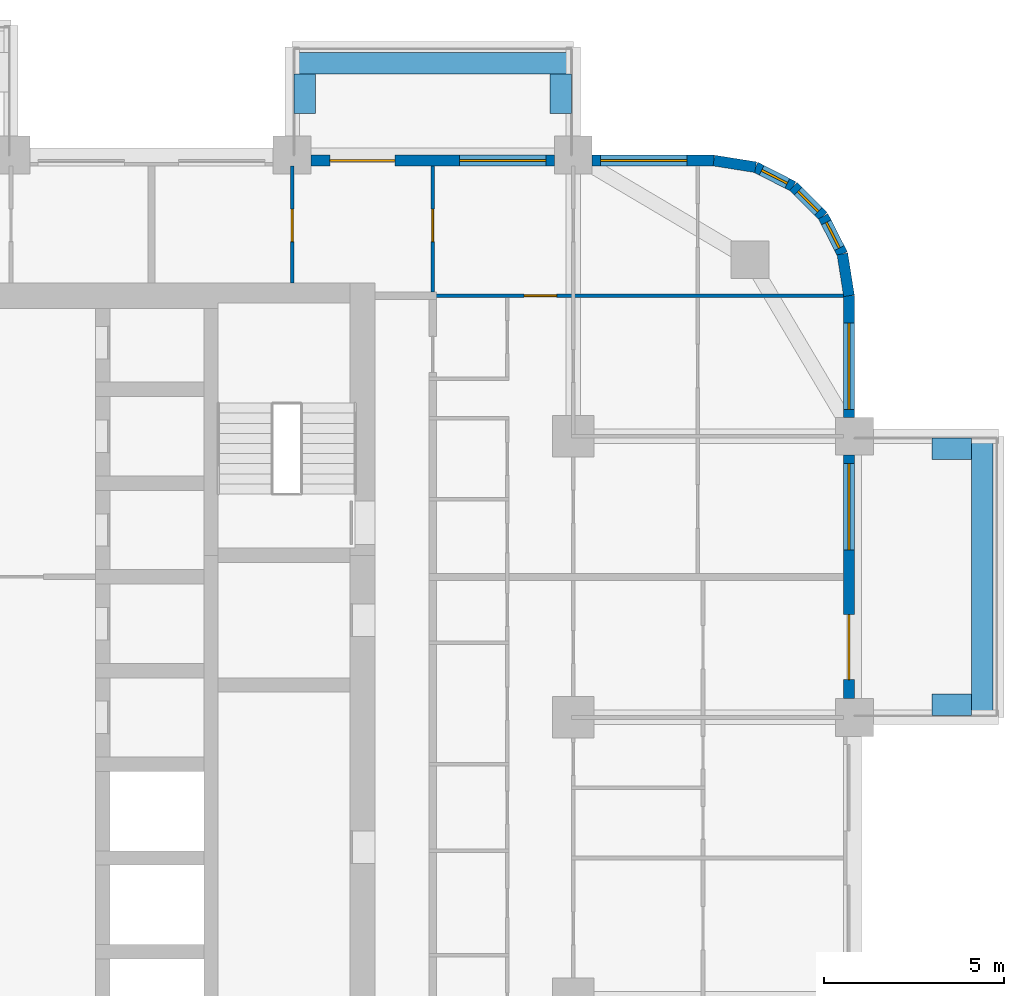
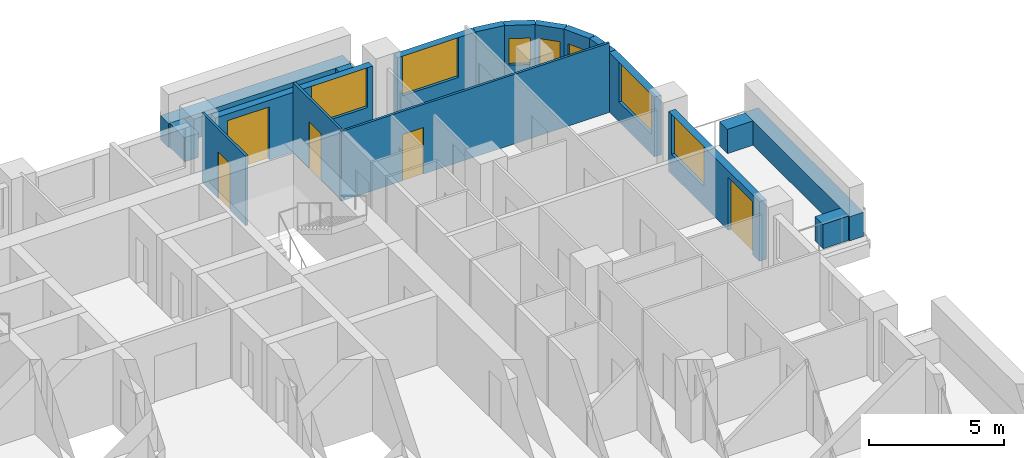
# One storey, part 13 of 17: 18 walls, 7 windows, 5 doors, 12 openings.
"""IFC4 building model written with IfcOpenShell, lengths in metres."""

from ifc_helpers import new_model, si_unit, direction, frame, frame_2d, origin, place, context, subcontext, project, spatial, rectangle, extrude, material, layer, layer_set, type_object, element, fill, save


model = new_model("IFC4")

# Units and contexts
model_context = context("Model", 3, precision=1e-05, world=origin(), true_north=direction((0.0, 1.0)))
body_context = subcontext(model_context, "Body", "Model", "MODEL_VIEW")
ifc_project = project(units=[si_unit("LENGTHUNIT", "METRE"), si_unit("AREAUNIT", "SQUARE_METRE"), si_unit("VOLUMEUNIT", "CUBIC_METRE"), si_unit("PLANEANGLEUNIT", "RADIAN"), si_unit("MASSUNIT", "GRAM", prefix="KILO")], contexts=[model_context])

# Site, building, storey
site_placement = place(None, origin())
site = spatial("IfcSite", under=ifc_project, at=site_placement, CompositionType="ELEMENT")
building_placement = place(site_placement, origin())
building = spatial("IfcBuilding", under=site, at=building_placement, Name="Ludao Terraces", CompositionType="ELEMENT")
storey_placement = place(building_placement, frame((0.0, 0.0, 22.89990234375)))
storey = spatial("IfcBuildingStorey", under=building, at=storey_placement, Name="L05", CompositionType="ELEMENT", Elevation=22.89990234375)

# Walls
ifc_material_1 = material(Name="Concrete C40", Category="concrete")
ifc_layer_1 = layer(ifc_material_1, 0.60009765625)
ifc_layer_set_1 = layer_set([ifc_layer_1], Name="ENV Planter trough 600")
wall_type_1 = type_object("IfcWallType", Name="ENV Planter trough 600", PredefinedType="USERDEFINED", material=ifc_layer_set_1)
wall_1_placement = place(storey_placement, frame((111.949951171875, 72.800048828125, 0.0), z_axis=(0.0, 0.0, 1.0), x_axis=(0.0, 1.0, 0.0)))
element("IfcWall", 1, at=wall_1_placement, inside=storey, type_object=wall_type_1, Name="PL-L05-E4", ObjectType="PLANTER", PredefinedType="USERDEFINED", context=body_context, shape_type="SweptSolid", body=[
    extrude(rectangle(XDim=7.800048828125, YDim=0.60009765625, at=frame_2d((3.89990234375, 0.0))), origin(), (0.0, 0.0, 1.0), 1.10009765625),
])
for number, where, z_axis, x_axis, name in (
    (2, (111.64990234375, 73.14990234375, 0.0), (0.0, 0.0, 1.0), (-1.0, 0.0, 0.0), "PL-L05-E4-SA"),
    (3, (111.64990234375, 80.25, 0.0), (0.0, 0.0, 1.0), (-1.0, 0.0, 0.0), "PL-L05-E4-SB"),
):
    element("IfcWall", number, at=place(storey_placement, frame(where, z_axis=z_axis, x_axis=x_axis)), inside=storey, type_object=wall_type_1, Name=name, ObjectType="PLANTER", PredefinedType="USERDEFINED", context=body_context, shape_type="SweptSolid", body=[
        extrude(rectangle(XDim=1.099853515625, YDim=0.60009765625, at=frame_2d((0.5498046875, 0.0))), origin(), (0.0, 0.0, 1.0), 1.10009765625),
    ])
wall_2_placement = place(storey_placement, frame((92.800048828125, 90.949951171875, 0.0), z_axis=(0.0, 0.0, 1.0), x_axis=(1.0, 0.0, 0.0)))
element("IfcWall", 4, at=wall_2_placement, inside=storey, type_object=wall_type_1, Name="PL-L05-N4", ObjectType="PLANTER", PredefinedType="USERDEFINED", context=body_context, shape_type="SweptSolid", body=[
    extrude(rectangle(XDim=7.800048828125, YDim=0.60009765625, at=frame_2d((3.89990234375, 0.0))), origin(), (0.0, 0.0, 1.0), 1.10009765625),
])
for number, where, z_axis, x_axis, name in (
    (5, (93.14990234375, 90.64990234375, 0.0), (0.0, 0.0, 1.0), (0.0, -1.0, 0.0), "PL-L05-N4-SA"),
    (6, (100.25, 90.64990234375, 0.0), (0.0, 0.0, 1.0), (0.0, -1.0, 0.0), "PL-L05-N4-SB"),
):
    element("IfcWall", number, at=place(storey_placement, frame(where, z_axis=z_axis, x_axis=x_axis)), inside=storey, type_object=wall_type_1, Name=name, ObjectType="PLANTER", PredefinedType="USERDEFINED", context=body_context, shape_type="SweptSolid", body=[
        extrude(rectangle(XDim=1.099853515625, YDim=0.60009765625, at=frame_2d((0.5498046875, 0.0))), origin(), (0.0, 0.0, 1.0), 1.10009765625),
    ])

# Wall, openings, door, window
ifc_material_2 = material(Name="Granite cladding", Category="masonry")
ifc_layer_2 = layer(ifc_material_2, 0.0400390625, Category="stone")
ifc_material_3 = material(Name="Mineral wool")
ifc_layer_3 = layer(ifc_material_3, 0.06005859375)
ifc_layer_4 = layer(ifc_material_1, 0.199951171875, Category="concrete")
ifc_layer_set_2 = layer_set([ifc_layer_2, ifc_layer_3, ifc_layer_4], Name="ENV Stone-clad wall 300")
wall_type_2 = type_object("IfcWallType", Name="ENV Stone-clad wall 300", PredefinedType="SOLIDWALL", material=ifc_layer_set_2)
wall_3_placement = place(storey_placement, frame((108.25, 73.324951171875, 0.0), z_axis=(0.0, 0.0, 1.0), x_axis=(0.0, 1.0, 0.0)))
wall_3 = element("IfcWall", 7, at=wall_3_placement, inside=storey, type_object=wall_type_2, Name="EW-L05-E5", PredefinedType="SOLIDWALL", context=body_context, shape_type="SweptSolid", body=[
    extrude(rectangle(XDim=6.75, YDim=0.300048828125, at=frame_2d((3.375, 0.0))), origin(), (0.0, 0.0, 1.0), 2.7001953125),
])
opening_1_placement = place(wall_3_placement, frame((0.52490234375, 0.0, 0.0)))
opening_1 = element("IfcOpeningElement", 8, at=opening_1_placement, cuts=wall_3, Name="Opening BD", PredefinedType="OPENING", context=body_context, shape_type="SweptSolid", body=[
    extrude(rectangle(XDim=1.800048828125, YDim=2.39990234375, at=frame_2d((0.89990234375, 1.199951171875))), frame((0.0, 0.16015625, 0.0), z_axis=(0.0, -1.0, 0.0), x_axis=(1.0, 0.0, 0.0)), (0.0, 0.0, 1.0), 0.320068359375),
])
opening_2_placement = place(wall_3_placement, frame((4.125, 0.0, 0.89990234375)))
opening_2 = element("IfcOpeningElement", 9, at=opening_2_placement, cuts=wall_3, Name="Opening W1", PredefinedType="OPENING", context=body_context, shape_type="SweptSolid", body=[
    extrude(rectangle(XDim=2.39990234375, YDim=1.800048828125, at=frame_2d((1.199951171875, 0.89990234375))), frame((0.0, 0.16015625, 0.0), z_axis=(0.0, -1.0, 0.0), x_axis=(1.0, 0.0, 0.0)), (0.0, 0.0, 1.0), 0.320068359375),
])
ifc_material_4 = material(Name="Aluminium glazed door", Category="aluminium")
ifc_layer_5 = layer(ifc_material_4, 0.06005859375)
ifc_layer_set_3 = layer_set([ifc_layer_5], Name="ENV Balcony door BD 1800x2400")
door_type_1 = type_object("IfcDoorType", Name="ENV Balcony door BD 1800x2400", OperationType="DOUBLE_DOOR_SINGLE_SWING", PredefinedType="DOOR", material=ifc_layer_set_3)
door_1_placement = place(opening_1_placement, origin())
door_1 = element("IfcDoor", 10, at=door_1_placement, inside=storey, type_object=door_type_1, Name="BD-L05-E5-1", OperationType="DOUBLE_DOOR_SINGLE_SWING", OverallHeight=2.39990234375, OverallWidth=1.800048828125, PredefinedType="DOOR", context=body_context, shape_type="SweptSolid", body=[
    extrude(rectangle(XDim=1.800048828125, YDim=2.39990234375, at=frame_2d((0.89990234375, 1.199951171875))), frame((0.0, 0.02490234375, 0.0), z_axis=(0.0, -1.0, 0.0), x_axis=(1.0, 0.0, 0.0)), (0.0, 0.0, 1.0), 0.050048828125),
])
fill(opening_1, door_1)
ifc_material_5 = material(Name="Clear glass in aluminium frame", Category="aluminium")
ifc_layer_6 = layer(ifc_material_5, 0.06005859375)
ifc_layer_set_4 = layer_set([ifc_layer_6], Name="ENV Window W1 2400x1800")
window_type_1 = type_object("IfcWindowType", Name="ENV Window W1 2400x1800", PartitioningType="DOUBLE_PANEL_VERTICAL", PredefinedType="WINDOW", material=ifc_layer_set_4)
window_1_placement = place(opening_2_placement, origin())
window_1 = element("IfcWindow", 11, at=window_1_placement, inside=storey, type_object=window_type_1, Name="W-L05-E5-2", OverallHeight=1.800048828125, OverallWidth=2.39990234375, PartitioningType="DOUBLE_PANEL_VERTICAL", PredefinedType="WINDOW", context=body_context, shape_type="SweptSolid", body=[
    extrude(rectangle(XDim=2.39990234375, YDim=1.800048828125, at=frame_2d((1.199951171875, 0.89990234375))), frame((0.0, 0.030029296875, 0.0), z_axis=(0.0, -1.0, 0.0), x_axis=(1.0, 0.0, 0.0)), (0.0, 0.0, 1.0), 0.06005859375),
])
fill(opening_2, window_1)

# Wall, opening, window
wall_4_placement = place(storey_placement, frame((108.25, 81.125, 0.0), z_axis=(0.0, 0.0, 1.0), x_axis=(0.0, 1.0, 0.0)))
wall_4 = element("IfcWall", 12, at=wall_4_placement, inside=storey, type_object=wall_type_2, Name="EW-L05-E6", PredefinedType="SOLIDWALL", context=body_context, shape_type="SweptSolid", body=[
    extrude(rectangle(XDim=3.375, YDim=0.300048828125, at=frame_2d((1.6875, 0.0))), origin(), (0.0, 0.0, 1.0), 2.7001953125),
])
opening_3_placement = place(wall_4_placement, frame((0.22509765625, 0.0, 0.89990234375)))
opening_3 = element("IfcOpeningElement", 13, at=opening_3_placement, cuts=wall_4, Name="Opening W1", PredefinedType="OPENING", context=body_context, shape_type="SweptSolid", body=[
    extrude(rectangle(XDim=2.39990234375, YDim=1.800048828125, at=frame_2d((1.199951171875, 0.89990234375))), frame((0.0, 0.16015625, 0.0), z_axis=(0.0, -1.0, 0.0), x_axis=(1.0, 0.0, 0.0)), (0.0, 0.0, 1.0), 0.320068359375),
])
window_2_placement = place(opening_3_placement, origin())
window_2 = element("IfcWindow", 14, at=window_2_placement, inside=storey, type_object=window_type_1, Name="W-L05-E6-1", OverallHeight=1.800048828125, OverallWidth=2.39990234375, PartitioningType="DOUBLE_PANEL_VERTICAL", PredefinedType="WINDOW", context=body_context, shape_type="SweptSolid", body=[
    extrude(rectangle(XDim=2.39990234375, YDim=1.800048828125, at=frame_2d((1.199951171875, 0.89990234375))), frame((0.0, 0.030029296875, 0.0), z_axis=(0.0, -1.0, 0.0), x_axis=(1.0, 0.0, 0.0)), (0.0, 0.0, 1.0), 0.06005859375),
])
fill(opening_3, window_2)

# Wall, openings, door, window
wall_5_placement = place(storey_placement, frame((93.324951171875, 88.25, 0.0), z_axis=(0.0, 0.0, 1.0), x_axis=(1.0, 0.0, 0.0)))
wall_5 = element("IfcWall", 15, at=wall_5_placement, inside=storey, type_object=wall_type_2, Name="EW-L05-N5", PredefinedType="SOLIDWALL", context=body_context, shape_type="SweptSolid", body=[
    extrude(rectangle(XDim=6.75, YDim=0.300048828125, at=frame_2d((3.375, 0.0))), origin(), (0.0, 0.0, 1.0), 2.7001953125),
])
opening_4_placement = place(wall_5_placement, frame((0.52490234375, 0.0, 0.0)))
opening_4 = element("IfcOpeningElement", 16, at=opening_4_placement, cuts=wall_5, Name="Opening BD", PredefinedType="OPENING", context=body_context, shape_type="SweptSolid", body=[
    extrude(rectangle(XDim=1.800048828125, YDim=2.39990234375, at=frame_2d((0.89990234375, 1.199951171875))), frame((0.0, 0.16015625, 0.0), z_axis=(0.0, -1.0, 0.0), x_axis=(1.0, 0.0, 0.0)), (0.0, 0.0, 1.0), 0.320068359375),
])
opening_5_placement = place(wall_5_placement, frame((4.125, 0.0, 0.89990234375)))
opening_5 = element("IfcOpeningElement", 17, at=opening_5_placement, cuts=wall_5, Name="Opening W1", PredefinedType="OPENING", context=body_context, shape_type="SweptSolid", body=[
    extrude(rectangle(XDim=2.39990234375, YDim=1.800048828125, at=frame_2d((1.199951171875, 0.89990234375))), frame((0.0, 0.16015625, 0.0), z_axis=(0.0, -1.0, 0.0), x_axis=(1.0, 0.0, 0.0)), (0.0, 0.0, 1.0), 0.320068359375),
])
door_2_placement = place(opening_4_placement, origin())
door_2 = element("IfcDoor", 18, at=door_2_placement, inside=storey, type_object=door_type_1, Name="BD-L05-N5-1", OperationType="DOUBLE_DOOR_SINGLE_SWING", OverallHeight=2.39990234375, OverallWidth=1.800048828125, PredefinedType="DOOR", context=body_context, shape_type="SweptSolid", body=[
    extrude(rectangle(XDim=1.800048828125, YDim=2.39990234375, at=frame_2d((0.89990234375, 1.199951171875))), frame((0.0, 0.02490234375, 0.0), z_axis=(0.0, -1.0, 0.0), x_axis=(1.0, 0.0, 0.0)), (0.0, 0.0, 1.0), 0.050048828125),
])
fill(opening_4, door_2)
window_3_placement = place(opening_5_placement, origin())
window_3 = element("IfcWindow", 19, at=window_3_placement, inside=storey, type_object=window_type_1, Name="W-L05-N5-2", OverallHeight=1.800048828125, OverallWidth=2.39990234375, PartitioningType="DOUBLE_PANEL_VERTICAL", PredefinedType="WINDOW", context=body_context, shape_type="SweptSolid", body=[
    extrude(rectangle(XDim=2.39990234375, YDim=1.800048828125, at=frame_2d((1.199951171875, 0.89990234375))), frame((0.0, 0.030029296875, 0.0), z_axis=(0.0, -1.0, 0.0), x_axis=(1.0, 0.0, 0.0)), (0.0, 0.0, 1.0), 0.06005859375),
])
fill(opening_5, window_3)

# Wall, opening, window
wall_6_placement = place(storey_placement, frame((101.125, 88.25, 0.0), z_axis=(0.0, 0.0, 1.0), x_axis=(1.0, 0.0, 0.0)))
wall_6 = element("IfcWall", 20, at=wall_6_placement, inside=storey, type_object=wall_type_2, Name="EW-L05-N6", PredefinedType="SOLIDWALL", context=body_context, shape_type="SweptSolid", body=[
    extrude(rectangle(XDim=3.375, YDim=0.300048828125, at=frame_2d((1.6875, 0.0))), origin(), (0.0, 0.0, 1.0), 2.7001953125),
])
opening_6_placement = place(wall_6_placement, frame((0.22509765625, 0.0, 0.89990234375)))
opening_6 = element("IfcOpeningElement", 21, at=opening_6_placement, cuts=wall_6, Name="Opening W1", PredefinedType="OPENING", context=body_context, shape_type="SweptSolid", body=[
    extrude(rectangle(XDim=2.39990234375, YDim=1.800048828125, at=frame_2d((1.199951171875, 0.89990234375))), frame((0.0, 0.16015625, 0.0), z_axis=(0.0, -1.0, 0.0), x_axis=(1.0, 0.0, 0.0)), (0.0, 0.0, 1.0), 0.320068359375),
])
window_4_placement = place(opening_6_placement, origin())
window_4 = element("IfcWindow", 22, at=window_4_placement, inside=storey, type_object=window_type_1, Name="W-L05-N6-1", OverallHeight=1.800048828125, OverallWidth=2.39990234375, PartitioningType="DOUBLE_PANEL_VERTICAL", PredefinedType="WINDOW", context=body_context, shape_type="SweptSolid", body=[
    extrude(rectangle(XDim=2.39990234375, YDim=1.800048828125, at=frame_2d((1.199951171875, 0.89990234375))), frame((0.0, 0.030029296875, 0.0), z_axis=(0.0, -1.0, 0.0), x_axis=(1.0, 0.0, 0.0)), (0.0, 0.0, 1.0), 0.06005859375),
])
fill(opening_6, window_4)

# Wall
wall_7_placement = place(storey_placement, frame((108.25, 84.5, 0.0), z_axis=(0.0, 0.0, 1.0), x_axis=(-0.156496880861, 0.987678452879, 0.0)))
element("IfcWall", 23, at=wall_7_placement, inside=storey, type_object=wall_type_2, Name="EW-L05-NE1", PredefinedType="SOLIDWALL", context=body_context, shape_type="SweptSolid", body=[
    extrude(rectangle(XDim=1.173095703125, YDim=0.300048828125, at=frame_2d((0.58642578125, 0.0))), origin(), (0.0, 0.0, 1.0), 2.7001953125),
])

# Wall, opening, window
wall_8_placement = place(storey_placement, frame((108.06640625, 85.65869140625, 0.0), z_axis=(0.0, 0.0, 1.0), x_axis=(-0.454025524128, 0.890988677504, 0.0)))
wall_8 = element("IfcWall", 24, at=wall_8_placement, inside=storey, type_object=wall_type_2, Name="EW-L05-NE2", PredefinedType="SOLIDWALL", context=body_context, shape_type="SweptSolid", body=[
    extrude(rectangle(XDim=1.17333984375, YDim=0.300048828125, at=frame_2d((0.586669921875, 0.0))), origin(), (0.0, 0.0, 1.0), 2.7001953125),
])
opening_7_placement = place(wall_8_placement, frame((0.1865234375, 0.0, 0.89990234375)))
opening_7 = element("IfcOpeningElement", 25, at=opening_7_placement, cuts=wall_8, Name="Opening W3", PredefinedType="OPENING", context=body_context, shape_type="SweptSolid", body=[
    extrude(rectangle(XDim=0.800048828125, YDim=1.199951171875, at=frame_2d((0.39990234375, 0.60009765625))), frame((0.0, 0.16015625, 0.0), z_axis=(0.0, -1.0, 0.0), x_axis=(1.0, 0.0, 0.0)), (0.0, 0.0, 1.0), 0.320068359375),
])
ifc_layer_7 = layer(ifc_material_5, 0.06005859375)
ifc_layer_set_5 = layer_set([ifc_layer_7], Name="ENV Window W3 800x1200")
window_type_2 = type_object("IfcWindowType", Name="ENV Window W3 800x1200", PartitioningType="SINGLE_PANEL", PredefinedType="WINDOW", material=ifc_layer_set_5)
window_5_placement = place(opening_7_placement, origin())
window_5 = element("IfcWindow", 26, at=window_5_placement, inside=storey, type_object=window_type_2, Name="W-L05-NE2", OverallHeight=1.199951171875, OverallWidth=0.800048828125, PartitioningType="SINGLE_PANEL", PredefinedType="WINDOW", context=body_context, shape_type="SweptSolid", body=[
    extrude(rectangle(XDim=0.800048828125, YDim=1.199951171875, at=frame_2d((0.39990234375, 0.60009765625))), frame((0.0, 0.030029296875, 0.0), z_axis=(0.0, -1.0, 0.0), x_axis=(1.0, 0.0, 0.0)), (0.0, 0.0, 1.0), 0.06005859375),
])
fill(opening_7, window_5)

wall_9_placement = place(storey_placement, frame((107.53369140625, 86.7041015625, 0.0), z_axis=(0.0, 0.0, 1.0), x_axis=(-0.707106781187, 0.707106781187, 0.0)))
wall_9 = element("IfcWall", 27, at=wall_9_placement, inside=storey, type_object=wall_type_2, Name="EW-L05-NE3", PredefinedType="SOLIDWALL", context=body_context, shape_type="SweptSolid", body=[
    extrude(rectangle(XDim=1.173095703125, YDim=0.300048828125, at=frame_2d((0.58642578125, 0.0))), origin(), (0.0, 0.0, 1.0), 2.7001953125),
])
opening_8_placement = place(wall_9_placement, frame((0.1865234375, 0.0, 0.89990234375)))
opening_8 = element("IfcOpeningElement", 28, at=opening_8_placement, cuts=wall_9, Name="Opening W3", PredefinedType="OPENING", context=body_context, shape_type="SweptSolid", body=[
    extrude(rectangle(XDim=0.800048828125, YDim=1.199951171875, at=frame_2d((0.39990234375, 0.60009765625))), frame((0.0, 0.16015625, 0.0), z_axis=(0.0, -1.0, 0.0), x_axis=(1.0, 0.0, 0.0)), (0.0, 0.0, 1.0), 0.320068359375),
])
window_6_placement = place(opening_8_placement, origin())
window_6 = element("IfcWindow", 29, at=window_6_placement, inside=storey, type_object=window_type_2, Name="W-L05-NE3", OverallHeight=1.199951171875, OverallWidth=0.800048828125, PartitioningType="SINGLE_PANEL", PredefinedType="WINDOW", context=body_context, shape_type="SweptSolid", body=[
    extrude(rectangle(XDim=0.800048828125, YDim=1.199951171875, at=frame_2d((0.39990234375, 0.60009765625))), frame((0.0, 0.030029296875, 0.0), z_axis=(0.0, -1.0, 0.0), x_axis=(1.0, 0.0, 0.0)), (0.0, 0.0, 1.0), 0.06005859375),
])
fill(opening_8, window_6)

wall_10_placement = place(storey_placement, frame((106.7041015625, 87.53369140625, 0.0), z_axis=(0.0, 0.0, 1.0), x_axis=(-0.890988677504, 0.454025524128, 0.0)))
wall_10 = element("IfcWall", 30, at=wall_10_placement, inside=storey, type_object=wall_type_2, Name="EW-L05-NE4", PredefinedType="SOLIDWALL", context=body_context, shape_type="SweptSolid", body=[
    extrude(rectangle(XDim=1.17333984375, YDim=0.300048828125, at=frame_2d((0.586669921875, 0.0))), origin(), (0.0, 0.0, 1.0), 2.7001953125),
])
opening_9_placement = place(wall_10_placement, frame((0.1865234375, 0.0, 0.89990234375)))
opening_9 = element("IfcOpeningElement", 31, at=opening_9_placement, cuts=wall_10, Name="Opening W3", PredefinedType="OPENING", context=body_context, shape_type="SweptSolid", body=[
    extrude(rectangle(XDim=0.800048828125, YDim=1.199951171875, at=frame_2d((0.39990234375, 0.60009765625))), frame((0.0, 0.16015625, 0.0), z_axis=(0.0, -1.0, 0.0), x_axis=(1.0, 0.0, 0.0)), (0.0, 0.0, 1.0), 0.320068359375),
])
window_7_placement = place(opening_9_placement, origin())
window_7 = element("IfcWindow", 32, at=window_7_placement, inside=storey, type_object=window_type_2, Name="W-L05-NE4", OverallHeight=1.199951171875, OverallWidth=0.800048828125, PartitioningType="SINGLE_PANEL", PredefinedType="WINDOW", context=body_context, shape_type="SweptSolid", body=[
    extrude(rectangle(XDim=0.800048828125, YDim=1.199951171875, at=frame_2d((0.39990234375, 0.60009765625))), frame((0.0, 0.030029296875, 0.0), z_axis=(0.0, -1.0, 0.0), x_axis=(1.0, 0.0, 0.0)), (0.0, 0.0, 1.0), 0.06005859375),
])
fill(opening_9, window_7)

# Wall
wall_11_placement = place(storey_placement, frame((105.65869140625, 88.06640625, 0.0), z_axis=(0.0, 0.0, 1.0), x_axis=(-0.987678452879, 0.156496880861, 0.0)))
element("IfcWall", 33, at=wall_11_placement, inside=storey, type_object=wall_type_2, Name="EW-L05-NE5", PredefinedType="SOLIDWALL", context=body_context, shape_type="SweptSolid", body=[
    extrude(rectangle(XDim=1.173095703125, YDim=0.300048828125, at=frame_2d((0.58642578125, 0.0))), origin(), (0.0, 0.0, 1.0), 2.7001953125),
])

# Wall, opening, door
ifc_material_6 = material(Name="Gypsum plasterboard", Category="gypsum")
ifc_layer_8 = layer(ifc_material_6, 0.012451171875, Category="gypsum")
ifc_layer_9 = layer(ifc_material_3, 0.06005859375, Name="insulation")
ifc_material_7 = material(Name="Steel Q235", Category="steel")
ifc_layer_10 = layer(ifc_material_7, 0.014892578125, Name="stud")
ifc_layer_11 = layer(ifc_material_6, 0.012451171875, Category="gypsum")
ifc_layer_set_6 = layer_set([ifc_layer_8, ifc_layer_9, ifc_layer_10, ifc_layer_11], Name="INT Partition 100")
wall_type_3 = type_object("IfcWallType", Name="INT Partition 100", PredefinedType="PARTITIONING", material=ifc_layer_set_6)
wall_12_placement = place(storey_placement, frame((96.60009765625, 84.5, 0.0), z_axis=(0.0, 0.0, 1.0), x_axis=(1.0, 0.0, 0.0)))
wall_12 = element("IfcWall", 34, at=wall_12_placement, inside=storey, type_object=wall_type_3, Name="PW-L05-PW072", PredefinedType="PARTITIONING", context=body_context, shape_type="SweptSolid", body=[
    extrude(rectangle(XDim=11.5, YDim=0.10009765625, at=frame_2d((5.75, 0.0))), origin(), (0.0, 0.0, 1.0), 3.150146484375),
])
opening_10_placement = place(wall_12_placement, frame((2.635009765625, 0.0, 0.0)))
opening_10 = element("IfcOpeningElement", 35, at=opening_10_placement, cuts=wall_12, Name="Opening R01-148", PredefinedType="OPENING", context=body_context, shape_type="SweptSolid", body=[
    extrude(rectangle(XDim=0.89990234375, YDim=2.10009765625, at=frame_2d((0.449951171875, 1.050048828125))), frame((0.0, 0.06005859375, 0.0), z_axis=(0.0, -1.0, 0.0), x_axis=(1.0, 0.0, 0.0)), (0.0, 0.0, 1.0), 0.1201171875),
])
ifc_material_8 = material(Name="Timber door leaf", Category="wood")
door_type_2 = type_object("IfcDoorType", Name="INT Room door 900", OperationType="SINGLE_SWING_LEFT", PredefinedType="DOOR", material=ifc_material_8)
door_3_placement = place(opening_10_placement, origin())
door_3 = element("IfcDoor", 36, at=door_3_placement, inside=storey, type_object=door_type_2, Name="DOOR 148", OperationType="SINGLE_SWING_LEFT", OverallHeight=2.10009765625, OverallWidth=0.89990234375, PredefinedType="DOOR", context=body_context, shape_type="SweptSolid", body=[
    extrude(rectangle(XDim=0.89990234375, YDim=2.10009765625, at=frame_2d((0.449951171875, 1.050048828125))), frame((0.0, 0.02490234375, 0.0), z_axis=(0.0, -1.0, 0.0), x_axis=(1.0, 0.0, 0.0)), (0.0, 0.0, 1.0), 0.050048828125),
])
fill(opening_10, door_3)

wall_13_placement = place(storey_placement, frame((92.800048828125, 84.85009765625, 0.0), z_axis=(0.0, 0.0, 1.0), x_axis=(0.0, 1.0, 0.0)))
wall_13 = element("IfcWall", 37, at=wall_13_placement, inside=storey, type_object=wall_type_3, Name="PW-L05-PW106", PredefinedType="PARTITIONING", context=body_context, shape_type="SweptSolid", body=[
    extrude(rectangle(XDim=3.25, YDim=0.10009765625, at=frame_2d((1.625, 0.0))), origin(), (0.0, 0.0, 1.0), 3.150146484375),
])
opening_11_placement = place(wall_13_placement, frame((1.14990234375, 0.0, 0.0)))
opening_11 = element("IfcOpeningElement", 38, at=opening_11_placement, cuts=wall_13, Name="Opening R01-155", PredefinedType="OPENING", context=body_context, shape_type="SweptSolid", body=[
    extrude(rectangle(XDim=0.89990234375, YDim=2.10009765625, at=frame_2d((0.449951171875, 1.050048828125))), frame((0.0, 0.06005859375, 0.0), z_axis=(0.0, -1.0, 0.0), x_axis=(1.0, 0.0, 0.0)), (0.0, 0.0, 1.0), 0.1201171875),
])
door_4_placement = place(opening_11_placement, origin())
door_4 = element("IfcDoor", 39, at=door_4_placement, inside=storey, type_object=door_type_2, Name="DOOR 155", OperationType="SINGLE_SWING_LEFT", OverallHeight=2.10009765625, OverallWidth=0.89990234375, PredefinedType="DOOR", context=body_context, shape_type="SweptSolid", body=[
    extrude(rectangle(XDim=0.89990234375, YDim=2.10009765625, at=frame_2d((0.449951171875, 1.050048828125))), frame((0.0, 0.02490234375, 0.0), z_axis=(0.0, -1.0, 0.0), x_axis=(1.0, 0.0, 0.0)), (0.0, 0.0, 1.0), 0.050048828125),
])
fill(opening_11, door_4)

wall_14_placement = place(storey_placement, frame((96.699951171875, 84.60009765625, 0.0), z_axis=(0.0, 0.0, 1.0), x_axis=(0.0, 1.0, 0.0)))
wall_14 = element("IfcWall", 40, at=wall_14_placement, inside=storey, type_object=wall_type_3, Name="PW-L05-PW111", PredefinedType="PARTITIONING", context=body_context, shape_type="SweptSolid", body=[
    extrude(rectangle(XDim=3.5, YDim=0.10009765625, at=frame_2d((1.75, 0.0))), origin(), (0.0, 0.0, 1.0), 3.150146484375),
])
opening_12_placement = place(wall_14_placement, frame((1.39990234375, 0.0, 0.0)))
opening_12 = element("IfcOpeningElement", 41, at=opening_12_placement, cuts=wall_14, Name="Opening R01-156", PredefinedType="OPENING", context=body_context, shape_type="SweptSolid", body=[
    extrude(rectangle(XDim=0.89990234375, YDim=2.10009765625, at=frame_2d((0.449951171875, 1.050048828125))), frame((0.0, 0.06005859375, 0.0), z_axis=(0.0, -1.0, 0.0), x_axis=(1.0, 0.0, 0.0)), (0.0, 0.0, 1.0), 0.1201171875),
])
door_5_placement = place(opening_12_placement, origin())
door_5 = element("IfcDoor", 42, at=door_5_placement, inside=storey, type_object=door_type_2, Name="DOOR 156", OperationType="SINGLE_SWING_RIGHT", OverallHeight=2.10009765625, OverallWidth=0.89990234375, PredefinedType="DOOR", context=body_context, shape_type="SweptSolid", body=[
    extrude(rectangle(XDim=0.89990234375, YDim=2.10009765625, at=frame_2d((0.449951171875, 1.050048828125))), frame((0.0, 0.02490234375, 0.0), z_axis=(0.0, -1.0, 0.0), x_axis=(1.0, 0.0, 0.0)), (0.0, 0.0, 1.0), 0.050048828125),
])
fill(opening_12, door_5)

save(model, "model.ifc")
